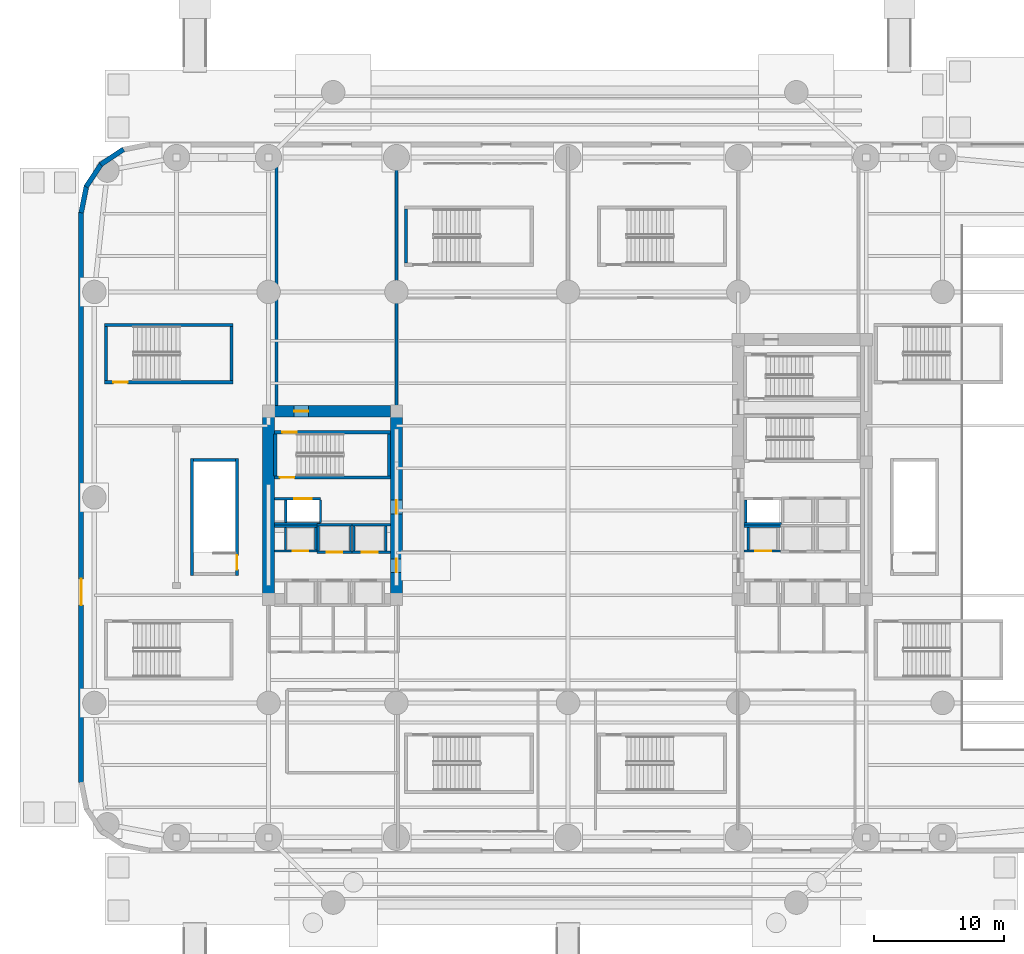
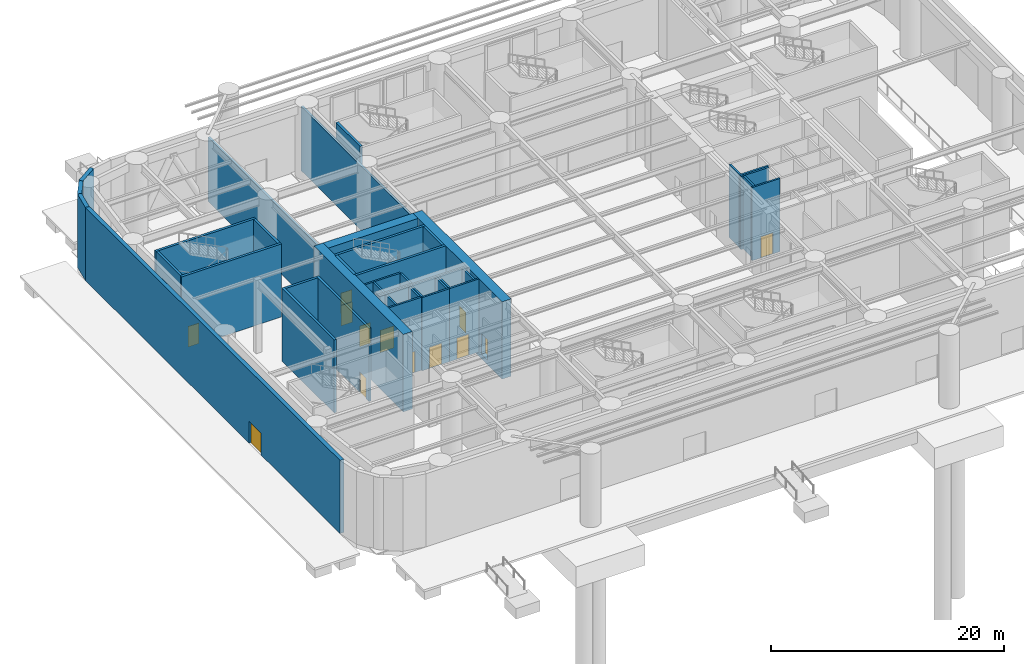
# One storey, part 11 of 25: 42 walls, 13 doors, 13 openings.
"""IFC4 building model written with IfcOpenShell, lengths in metres."""

from ifc_helpers import new_model, si_unit, direction, frame, frame_2d, origin, place, context, subcontext, project, spatial, rectangle, extrude, material, layer, layer_set, type_object, element, fill, save


model = new_model("IFC4")

# Units and contexts
model_context = context("Model", 3, precision=1e-05, world=origin(), true_north=direction((0.0, 1.0)))
body_context = subcontext(model_context, "Body", "Model", "MODEL_VIEW")
ifc_project = project(units=[si_unit("LENGTHUNIT", "METRE"), si_unit("AREAUNIT", "SQUARE_METRE"), si_unit("VOLUMEUNIT", "CUBIC_METRE"), si_unit("PLANEANGLEUNIT", "RADIAN"), si_unit("MASSUNIT", "GRAM", prefix="KILO")], contexts=[model_context])

# Site, building, storey
site_placement = place(None, origin())
site = spatial("IfcSite", under=ifc_project, at=site_placement, CompositionType="ELEMENT")
building_placement = place(site_placement, origin())
building = spatial("IfcBuilding", under=site, at=building_placement, Name="Kolvaren Arena Tower", CompositionType="ELEMENT")
storey_placement = place(building_placement, origin())
storey = spatial("IfcBuildingStorey", under=building, at=storey_placement, Name="L00", CompositionType="ELEMENT", Elevation=0.0)

# Wall
ifc_material_1 = material(Name="Concrete 80 MPa", Category="concrete")
ifc_layer_1 = layer(ifc_material_1, 0.89990234375)
ifc_layer_set_1 = layer_set([ifc_layer_1], Name="Concrete 80 MPa")
wall_type_1 = type_object("IfcWallType", Name="CWALL-900", PredefinedType="SHEAR", material=ifc_layer_set_1)
wall_1_placement = place(storey_placement, frame((14.550048828125, 19.0, -0.449951171875), z_axis=(0.0, 0.0, 1.0), x_axis=(0.0, 1.0, 0.0)))
element("IfcWall", 1, at=wall_1_placement, inside=storey, type_object=wall_type_1, Name="Core Shear Wall WC-WEST (L00)", PredefinedType="SHEAR", context=body_context, shape_type="SweptSolid", body=[
    extrude(rectangle(XDim=15.300048828125, YDim=0.89990234375, at=frame_2d((7.64990234375, 0.0))), origin(), (0.0, 0.0, 1.0), 8.099853515625),
])

# Wall, openings, doors
wall_2_placement = place(storey_placement, frame((24.35009765625, 19.0, -0.449951171875), z_axis=(0.0, 0.0, 1.0), x_axis=(0.0, 1.0, 0.0)))
wall_2 = element("IfcWall", 2, at=wall_2_placement, inside=storey, type_object=wall_type_1, Name="Core Shear Wall WC-EAST (L00)", PredefinedType="SHEAR", context=body_context, shape_type="SweptSolid", body=[
    extrude(rectangle(XDim=15.300048828125, YDim=0.89990234375, at=frame_2d((7.64990234375, 0.0))), origin(), (0.0, 0.0, 1.0), 8.099853515625),
])
opening_1_placement = place(wall_2_placement, frame((2.5, 0.0, 0.449951171875)))
opening_1 = element("IfcOpeningElement", 3, at=opening_1_placement, cuts=wall_2, Name="Opening D04", PredefinedType="OPENING", context=body_context, shape_type="SweptSolid", body=[
    extrude(rectangle(XDim=1.050048828125, YDim=2.14990234375, at=frame_2d((0.52490234375, 1.074951171875))), frame((0.0, 0.4599609375, 0.0), z_axis=(0.0, -1.0, 0.0), x_axis=(1.0, 0.0, 0.0)), (0.0, 0.0, 1.0), 0.919921875),
])
opening_2_placement = place(wall_2_placement, frame((7.0, 0.0, 0.449951171875)))
opening_2 = element("IfcOpeningElement", 4, at=opening_2_placement, cuts=wall_2, Name="Opening D04", PredefinedType="OPENING", context=body_context, shape_type="SweptSolid", body=[
    extrude(rectangle(XDim=1.050048828125, YDim=2.14990234375, at=frame_2d((0.52490234375, 1.074951171875))), frame((0.0, 0.4599609375, 0.0), z_axis=(0.0, -1.0, 0.0), x_axis=(1.0, 0.0, 0.0)), (0.0, 0.0, 1.0), 0.919921875),
])
ifc_material_2 = material(Name="Fire-rated steel lobby door", Category="steel")
door_type_1 = type_object("IfcDoorType", Name="DOOR-FF-105", OperationType="NOTDEFINED", PredefinedType="DOOR", material=ifc_material_2)
door_1_placement = place(opening_1_placement, origin())
door_1 = element("IfcDoor", 5, at=door_1_placement, inside=storey, type_object=door_type_1, Name="West Lift Lobby Fire Door (L00)", OperationType="SINGLE_SWING_LEFT", OverallHeight=2.14990234375, OverallWidth=1.050048828125, PredefinedType="DOOR", context=body_context, shape_type="SweptSolid", body=[
    extrude(rectangle(XDim=1.050048828125, YDim=2.14990234375, at=frame_2d((0.52490234375, 1.074951171875))), frame((0.0, 0.02490234375, 0.0), z_axis=(0.0, -1.0, 0.0), x_axis=(1.0, 0.0, 0.0)), (0.0, 0.0, 1.0), 0.050048828125),
])
fill(opening_1, door_1)
door_2_placement = place(opening_2_placement, origin())
door_2 = element("IfcDoor", 6, at=door_2_placement, inside=storey, type_object=door_type_1, Name="West Firefighter Vestibule Door (L00)", OperationType="SINGLE_SWING_RIGHT", OverallHeight=2.14990234375, OverallWidth=1.050048828125, PredefinedType="DOOR", context=body_context, shape_type="SweptSolid", body=[
    extrude(rectangle(XDim=1.050048828125, YDim=2.14990234375, at=frame_2d((0.52490234375, 1.074951171875))), frame((0.0, 0.02490234375, 0.0), z_axis=(0.0, -1.0, 0.0), x_axis=(1.0, 0.0, 0.0)), (0.0, 0.0, 1.0), 0.050048828125),
])
fill(opening_2, door_2)

# Wall, opening, door
wall_3_placement = place(storey_placement, frame((15.0, 33.85009765625, -0.449951171875), z_axis=(0.0, 0.0, 1.0), x_axis=(1.0, 0.0, 0.0)))
wall_3 = element("IfcWall", 7, at=wall_3_placement, inside=storey, type_object=wall_type_1, Name="Core Shear Wall WC-NORTH (L00)", PredefinedType="SHEAR", context=body_context, shape_type="SweptSolid", body=[
    extrude(rectangle(XDim=8.89990234375, YDim=0.89990234375, at=frame_2d((4.449951171875, 0.0))), origin(), (0.0, 0.0, 1.0), 8.099853515625),
])
opening_3_placement = place(wall_3_placement, frame((1.5, 0.0, 0.449951171875)))
opening_3 = element("IfcOpeningElement", 8, at=opening_3_placement, cuts=wall_3, Name="Opening D03", PredefinedType="OPENING", context=body_context, shape_type="SweptSolid", body=[
    extrude(rectangle(XDim=1.10009765625, YDim=2.14990234375, at=frame_2d((0.550048828125, 1.074951171875))), frame((0.0, 0.4599609375, 0.0), z_axis=(0.0, -1.0, 0.0), x_axis=(1.0, 0.0, 0.0)), (0.0, 0.0, 1.0), 0.919921875),
])
ifc_material_3 = material(Name="Fire-rated steel exit stair door", Category="steel")
door_type_2 = type_object("IfcDoorType", Name="DOOR-ST-110", OperationType="NOTDEFINED", PredefinedType="DOOR", material=ifc_material_3)
door_3_placement = place(opening_3_placement, origin())
door_3 = element("IfcDoor", 9, at=door_3_placement, inside=storey, type_object=door_type_2, Name="Stair ST-W1 Protected Exit Passage Door (L00)", OperationType="SINGLE_SWING_LEFT", OverallHeight=2.14990234375, OverallWidth=1.10009765625, PredefinedType="DOOR", context=body_context, shape_type="SweptSolid", body=[
    extrude(rectangle(XDim=1.10009765625, YDim=2.14990234375, at=frame_2d((0.550048828125, 1.074951171875))), frame((0.0, 0.02490234375, 0.0), z_axis=(0.0, -1.0, 0.0), x_axis=(1.0, 0.0, 0.0)), (0.0, 0.0, 1.0), 0.050048828125),
])
fill(opening_3, door_3)

# Walls
ifc_material_4 = material(Name="Precast concrete C50/60", Category="concrete")
ifc_layer_2 = layer(ifc_material_4, 0.3798828125)
ifc_layer_set_2 = layer_set([ifc_layer_2], Name="Precast concrete C50/60")
wall_type_2 = type_object("IfcWallType", Name="EXT-ARENA", PredefinedType="SOLIDWALL", material=ifc_layer_set_2)
for number, where, z_axis, x_axis, name in (
    (10, (1.687255859375, 52.760498046875, 0.0), (0.0, 0.0, 1.0), (0.831515102434, 0.555502146192, 0.0), "Exterior Precast Masonry-Frame Wall (L00)"),
    (11, (0.569091796875, 51.060791015625, 0.0), (0.0, 0.0, 1.0), (0.555502146192, 0.831515102434, 0.0), "Exterior Precast Masonry-Frame Wall (L00)"),
    (12, (0.186279296875, 49.06298828125, 0.0), (0.0, 0.0, 1.0), (0.195135546048, 0.9807762837, 0.0), "Exterior Precast Masonry-Frame Wall (L00)"),
):
    element("IfcWall", number, at=place(storey_placement, frame(where, z_axis=z_axis, x_axis=x_axis)), inside=storey, type_object=wall_type_2, Name=name, PredefinedType="SOLIDWALL", context=body_context, shape_type="SweptSolid", body=[
        extrude(rectangle(XDim=2.10693359375, YDim=0.3798828125, at=frame_2d((1.053466796875, 0.0))), origin(), (0.0, 0.0, 1.0), 7.64990234375),
    ])

# Wall, opening, door
wall_4_placement = place(storey_placement, frame((0.18994140625, 5.39990234375, 0.0), z_axis=(0.0, 0.0, 1.0), x_axis=(0.0, 1.0, 0.0)))
wall_4 = element("IfcWall", 13, at=wall_4_placement, inside=storey, type_object=wall_type_2, Name="Exterior Precast Masonry-Frame Wall (L00)", PredefinedType="SOLIDWALL", context=body_context, shape_type="SweptSolid", body=[
    extrude(rectangle(XDim=43.7001953125, YDim=0.3798828125, at=frame_2d((21.85009765625, 0.0))), origin(), (0.0, 0.0, 1.0), 7.64990234375),
])
opening_4_placement = place(wall_4_placement, frame((13.60009765625, 0.0, 0.0)))
opening_4 = element("IfcOpeningElement", 14, at=opening_4_placement, cuts=wall_4, Name="Opening D02", PredefinedType="OPENING", context=body_context, shape_type="SweptSolid", body=[
    extrude(rectangle(XDim=2.0, YDim=2.300048828125, at=frame_2d((1.0, 1.14990234375))), frame((0.0, 0.199951171875, 0.0), z_axis=(0.0, -1.0, 0.0), x_axis=(1.0, 0.0, 0.0)), (0.0, 0.0, 1.0), 0.39990234375),
])
ifc_material_5 = material(Name="Painted hollow metal assembly door", Category="steel")
door_type_3 = type_object("IfcDoorType", Name="DOOR-AR-DBL", OperationType="DOUBLE_DOOR_SINGLE_SWING", PredefinedType="DOOR", material=ifc_material_5)
door_4_placement = place(opening_4_placement, origin())
door_4 = element("IfcDoor", 15, at=door_4_placement, inside=storey, type_object=door_type_3, Name="West Tower Lobby Final Exit Door", OperationType="DOUBLE_DOOR_SINGLE_SWING", OverallHeight=2.300048828125, OverallWidth=2.0, PredefinedType="DOOR", context=body_context, shape_type="SweptSolid", body=[
    extrude(rectangle(XDim=2.0, YDim=2.300048828125, at=frame_2d((1.0, 1.14990234375))), frame((0.0, 0.02490234375, 0.0), z_axis=(0.0, -1.0, 0.0), x_axis=(1.0, 0.0, 0.0)), (0.0, 0.0, 1.0), 0.050048828125),
])
fill(opening_4, door_4)

ifc_material_6 = material(Name="Concrete 45 MPa", Category="concrete")
ifc_layer_3 = layer(ifc_material_6, 0.25)
ifc_layer_set_3 = layer_set([ifc_layer_3], Name="Concrete 45 MPa")
wall_type_3 = type_object("IfcWallType", Name="SHAFT-250", PredefinedType="SOLIDWALL", material=ifc_layer_set_3)
wall_5_placement = place(storey_placement, frame((11.840087890625, 36.080078125, 0.0), z_axis=(0.0, 0.0, 1.0), x_axis=(-1.0, 0.0, 0.0)))
wall_5 = element("IfcWall", 16, at=wall_5_placement, inside=storey, type_object=wall_type_3, Name="Stair ST-A5 Rated Enclosure Wall (L00)", PredefinedType="SOLIDWALL", context=body_context, shape_type="SweptSolid", body=[
    extrude(rectangle(XDim=9.880126953125, YDim=0.239990234375, at=frame_2d((4.93994140625, 0.0))), origin(), (0.0, 0.0, 1.0), 7.64990234375),
])
opening_5_placement = place(wall_5_placement, frame((8.090087890625, 0.0, 0.0)))
opening_5 = element("IfcOpeningElement", 17, at=opening_5_placement, cuts=wall_5, Name="Opening D03", PredefinedType="OPENING", context=body_context, shape_type="SweptSolid", body=[
    extrude(rectangle(XDim=1.10009765625, YDim=2.14990234375, at=frame_2d((0.550048828125, 1.074951171875))), frame((0.0, 0.1298828125, 0.0), z_axis=(0.0, -1.0, 0.0), x_axis=(1.0, 0.0, 0.0)), (0.0, 0.0, 1.0), 0.260009765625),
])
door_5_placement = place(opening_5_placement, origin())
door_5 = element("IfcDoor", 18, at=door_5_placement, inside=storey, type_object=door_type_2, Name="Exit Stair ST-A5 Fire Door (L00)", OperationType="SINGLE_SWING_LEFT", OverallHeight=2.14990234375, OverallWidth=1.10009765625, PredefinedType="DOOR", context=body_context, shape_type="SweptSolid", body=[
    extrude(rectangle(XDim=1.10009765625, YDim=2.14990234375, at=frame_2d((0.550048828125, 1.074951171875))), frame((0.0, 0.02490234375, 0.0), z_axis=(0.0, -1.0, 0.0), x_axis=(1.0, 0.0, 0.0)), (0.0, 0.0, 1.0), 0.050048828125),
])
fill(opening_5, door_5)

# Walls
wall_6_placement = place(storey_placement, frame((1.9599609375, 40.469970703125, 0.0), z_axis=(0.0, 0.0, 1.0), x_axis=(1.0, 0.0, 0.0)))
element("IfcWall", 19, at=wall_6_placement, inside=storey, type_object=wall_type_3, Name="Stair ST-A5 Rear Shaft Wall (L00)", PredefinedType="SOLIDWALL", context=body_context, shape_type="SweptSolid", body=[
    extrude(rectangle(XDim=9.880126953125, YDim=0.239990234375, at=frame_2d((4.93994140625, 0.0))), origin(), (0.0, 0.0, 1.0), 7.64990234375),
])
for number, where, z_axis, x_axis, name in (
    (20, (2.080078125, 36.199951171875, 0.0), (0.0, 0.0, 1.0), (0.0, 1.0, 0.0), "Stair ST-A5 West Shaft Wall (L00)"),
    (21, (11.719970703125, 36.199951171875, 0.0), (0.0, 0.0, 1.0), (0.0, 1.0, 0.0), "Stair ST-A5 East Shaft Wall (L00)"),
    (22, (25.080078125, 45.199951171875, 0.0), (0.0, 0.0, 1.0), (0.0, 1.0, 0.0), "Stair ST-A6 West Shaft Wall (L00)"),
):
    element("IfcWall", number, at=place(storey_placement, frame(where, z_axis=z_axis, x_axis=x_axis)), inside=storey, type_object=wall_type_3, Name=name, PredefinedType="SOLIDWALL", context=body_context, shape_type="SweptSolid", body=[
        extrude(rectangle(XDim=4.150146484375, YDim=0.239990234375, at=frame_2d((2.0751953125, 0.0))), origin(), (0.0, 0.0, 1.0), 7.64990234375),
    ])

# Wall, opening, door
wall_7_placement = place(storey_placement, frame((12.1201171875, 30.239990234375, 0.0), z_axis=(0.0, 0.0, 1.0), x_axis=(0.0, -1.0, 0.0)))
wall_7 = element("IfcWall", 23, at=wall_7_placement, inside=storey, type_object=wall_type_3, Name="Stair ST-B1 Rated Enclosure Wall (L00)", PredefinedType="SOLIDWALL", context=body_context, shape_type="SweptSolid", body=[
    extrude(rectangle(XDim=8.97998046875, YDim=0.239990234375, at=frame_2d((4.489990234375, 0.0))), origin(), (0.0, 0.0, 1.0), 7.64990234375),
])
opening_6_placement = place(wall_7_placement, frame((7.429931640625, 0.0, 0.0)))
opening_6 = element("IfcOpeningElement", 24, at=opening_6_placement, cuts=wall_7, Name="Opening D03", PredefinedType="OPENING", context=body_context, shape_type="SweptSolid", body=[
    extrude(rectangle(XDim=1.10009765625, YDim=2.14990234375, at=frame_2d((0.550048828125, 1.074951171875))), frame((0.0, 0.1298828125, 0.0), z_axis=(0.0, -1.0, 0.0), x_axis=(1.0, 0.0, 0.0)), (0.0, 0.0, 1.0), 0.260009765625),
])
door_6_placement = place(opening_6_placement, origin())
door_6 = element("IfcDoor", 25, at=door_6_placement, inside=storey, type_object=door_type_2, Name="Exit Stair ST-B1 Fire Door (L00)", OperationType="SINGLE_SWING_LEFT", OverallHeight=2.14990234375, OverallWidth=1.10009765625, PredefinedType="DOOR", context=body_context, shape_type="SweptSolid", body=[
    extrude(rectangle(XDim=1.10009765625, YDim=2.14990234375, at=frame_2d((0.550048828125, 1.074951171875))), frame((0.0, 0.02490234375, 0.0), z_axis=(0.0, -1.0, 0.0), x_axis=(1.0, 0.0, 0.0)), (0.0, 0.0, 1.0), 0.050048828125),
])
fill(opening_6, door_6)

# Walls
wall_8_placement = place(storey_placement, frame((8.68994140625, 21.260009765625, 0.0), z_axis=(0.0, 0.0, 1.0), x_axis=(0.0, 1.0, 0.0)))
element("IfcWall", 26, at=wall_8_placement, inside=storey, type_object=wall_type_3, Name="Stair ST-B1 Rear Shaft Wall (L00)", PredefinedType="SOLIDWALL", context=body_context, shape_type="SweptSolid", body=[
    extrude(rectangle(XDim=8.97998046875, YDim=0.239990234375, at=frame_2d((4.489990234375, 0.0))), origin(), (0.0, 0.0, 1.0), 7.64990234375),
])
wall_9_placement = place(storey_placement, frame((8.81005859375, 30.1201171875, 0.0), z_axis=(0.0, 0.0, 1.0), x_axis=(1.0, 0.0, 0.0)))
element("IfcWall", 27, at=wall_9_placement, inside=storey, type_object=wall_type_3, Name="Stair ST-B1 North Shaft Wall (L00)", PredefinedType="SOLIDWALL", context=body_context, shape_type="SweptSolid", body=[
    extrude(rectangle(XDim=3.18994140625, YDim=0.239990234375, at=frame_2d((1.594970703125, 0.0))), origin(), (0.0, 0.0, 1.0), 7.64990234375),
])

# Wall, opening, door
wall_10_placement = place(storey_placement, frame((23.89990234375, 28.780029296875, 0.0), z_axis=(0.0, 0.0, 1.0), x_axis=(-1.0, 0.0, 0.0)))
wall_10 = element("IfcWall", 28, at=wall_10_placement, inside=storey, type_object=wall_type_3, Name="Core Shaft Wall (L00)", PredefinedType="SOLIDWALL", context=body_context, shape_type="SweptSolid", body=[
    extrude(rectangle(XDim=8.89990234375, YDim=0.239990234375, at=frame_2d((4.449951171875, 0.0))), origin(), (0.0, 0.0, 1.0), 7.64990234375),
])
opening_7_placement = place(wall_10_placement, frame((7.3798828125, 0.0, 0.0)))
opening_7 = element("IfcOpeningElement", 29, at=opening_7_placement, cuts=wall_10, Name="Opening D03", PredefinedType="OPENING", context=body_context, shape_type="SweptSolid", body=[
    extrude(rectangle(XDim=1.10009765625, YDim=2.14990234375, at=frame_2d((0.550048828125, 1.074951171875))), frame((0.0, 0.1298828125, 0.0), z_axis=(0.0, -1.0, 0.0), x_axis=(1.0, 0.0, 0.0)), (0.0, 0.0, 1.0), 0.260009765625),
])
door_7_placement = place(opening_7_placement, origin())
door_7 = element("IfcDoor", 30, at=door_7_placement, inside=storey, type_object=door_type_2, Name="Stair ST-W1 Fire Door (L00)", OperationType="SINGLE_SWING_RIGHT", OverallHeight=2.14990234375, OverallWidth=1.10009765625, PredefinedType="DOOR", context=body_context, shape_type="SweptSolid", body=[
    extrude(rectangle(XDim=1.10009765625, YDim=2.14990234375, at=frame_2d((0.550048828125, 1.074951171875))), frame((0.0, 0.02490234375, 0.0), z_axis=(0.0, -1.0, 0.0), x_axis=(1.0, 0.0, 0.0)), (0.0, 0.0, 1.0), 0.050048828125),
])
fill(opening_7, door_7)

wall_11_placement = place(storey_placement, frame((15.0, 32.25, 0.0), z_axis=(0.0, 0.0, 1.0), x_axis=(1.0, 0.0, 0.0)))
wall_11 = element("IfcWall", 31, at=wall_11_placement, inside=storey, type_object=wall_type_3, Name="Core Shaft Wall (L00)", PredefinedType="SOLIDWALL", context=body_context, shape_type="SweptSolid", body=[
    extrude(rectangle(XDim=8.89990234375, YDim=0.239990234375, at=frame_2d((4.449951171875, 0.0))), origin(), (0.0, 0.0, 1.0), 7.64990234375),
])
opening_8_placement = place(wall_11_placement, frame((0.60009765625, 0.0, 0.0)))
opening_8 = element("IfcOpeningElement", 32, at=opening_8_placement, cuts=wall_11, Name="Opening D03", PredefinedType="OPENING", context=body_context, shape_type="SweptSolid", body=[
    extrude(rectangle(XDim=1.10009765625, YDim=2.14990234375, at=frame_2d((0.550048828125, 1.074951171875))), frame((0.0, 0.1298828125, 0.0), z_axis=(0.0, -1.0, 0.0), x_axis=(1.0, 0.0, 0.0)), (0.0, 0.0, 1.0), 0.260009765625),
])
door_8_placement = place(opening_8_placement, origin())
door_8 = element("IfcDoor", 33, at=door_8_placement, inside=storey, type_object=door_type_2, Name="Stair ST-W1 Grade Discharge Door", OperationType="SINGLE_SWING_LEFT", OverallHeight=2.14990234375, OverallWidth=1.10009765625, PredefinedType="DOOR", context=body_context, shape_type="SweptSolid", body=[
    extrude(rectangle(XDim=1.10009765625, YDim=2.14990234375, at=frame_2d((0.550048828125, 1.074951171875))), frame((0.0, 0.02490234375, 0.0), z_axis=(0.0, -1.0, 0.0), x_axis=(1.0, 0.0, 0.0)), (0.0, 0.0, 1.0), 0.050048828125),
])
fill(opening_8, door_8)

# Walls
for number, where, z_axis, x_axis, name in (
    (34, (15.06005859375, 28.89990234375, 0.0), (0.0, 0.0, 1.0), (0.0, 1.0, 0.0), "Core Shaft Wall (L00)"),
    (35, (23.780029296875, 28.89990234375, 0.0), (0.0, 0.0, 1.0), (0.0, 1.0, 0.0), "Core Shaft Wall (L00)"),
):
    element("IfcWall", number, at=place(storey_placement, frame(where, z_axis=z_axis, x_axis=x_axis)), inside=storey, type_object=wall_type_3, Name=name, PredefinedType="SOLIDWALL", context=body_context, shape_type="SweptSolid", body=[
        extrude(rectangle(XDim=3.22998046875, YDim=0.239990234375, at=frame_2d((1.614990234375, 0.0))), origin(), (0.0, 0.0, 1.0), 7.64990234375),
    ])
wall_12_placement = place(storey_placement, frame((51.0, 25.054931640625, 0.0), z_axis=(0.0, 0.0, 1.0), x_axis=(1.0, 0.0, 0.0)))
element("IfcWall", 36, at=wall_12_placement, inside=storey, type_object=wall_type_3, Name="Core Shaft Wall (L00)", PredefinedType="SOLIDWALL", context=body_context, shape_type="SweptSolid", body=[
    extrude(rectangle(XDim=2.777587890625, YDim=0.179931640625, at=frame_2d((1.388671875, 0.0))), origin(), (0.0, 0.0, 1.0), 7.64990234375),
])

# Wall, opening, door
wall_13_placement = place(storey_placement, frame((51.0, 23.14501953125, 0.0), z_axis=(0.0, 0.0, 1.0), x_axis=(1.0, 0.0, 0.0)))
wall_13 = element("IfcWall", 37, at=wall_13_placement, inside=storey, type_object=wall_type_3, Name="Core Shaft Wall (L00)", PredefinedType="SOLIDWALL", context=body_context, shape_type="SweptSolid", body=[
    extrude(rectangle(XDim=2.777587890625, YDim=0.179931640625, at=frame_2d((1.388671875, 0.0))), origin(), (0.0, 0.0, 1.0), 7.64990234375),
])
opening_9_placement = place(wall_13_placement, frame((0.860107421875, 0.0, 0.0)))
opening_9 = element("IfcOpeningElement", 38, at=opening_9_placement, cuts=wall_13, Name="Opening LD1", PredefinedType="OPENING", context=body_context, shape_type="SweptSolid", body=[
    extrude(rectangle(XDim=1.199951171875, YDim=2.199951171875, at=frame_2d((0.60009765625, 1.10009765625))), frame((0.0, 0.099853515625, 0.0), z_axis=(0.0, -1.0, 0.0), x_axis=(1.0, 0.0, 0.0)), (0.0, 0.0, 1.0), 0.199951171875),
])
ifc_material_7 = material(Name="Stainless steel passenger lift landing door", Category="steel")
door_type_4 = type_object("IfcDoorType", Name="DOOR-LD-120", OperationType="DOUBLE_DOOR_SLIDING", PredefinedType="DOOR", material=ifc_material_7)
door_9_placement = place(opening_9_placement, origin())
door_9 = element("IfcDoor", 39, at=door_9_placement, inside=storey, type_object=door_type_4, Name="Lift EL-LR4 Landing Door (L00)", OperationType="DOUBLE_DOOR_SLIDING", OverallHeight=2.199951171875, OverallWidth=1.199951171875, PredefinedType="DOOR", context=body_context, shape_type="SweptSolid", body=[
    extrude(rectangle(XDim=1.199951171875, YDim=2.199951171875, at=frame_2d((0.60009765625, 1.10009765625))), frame((0.0, 0.02490234375, 0.0), z_axis=(0.0, -1.0, 0.0), x_axis=(1.0, 0.0, 0.0)), (0.0, 0.0, 1.0), 0.050048828125),
])
fill(opening_9, door_9)

# Walls
wall_14_placement = place(storey_placement, frame((51.304931640625, 23.235107421875, 0.0), z_axis=(0.0, 0.0, 1.0), x_axis=(0.0, 1.0, 0.0)))
element("IfcWall", 40, at=wall_14_placement, inside=storey, type_object=wall_type_3, Name="Core Shaft Wall (L00)", PredefinedType="SOLIDWALL", context=body_context, shape_type="SweptSolid", body=[
    extrude(rectangle(XDim=1.72998046875, YDim=0.179931640625, at=frame_2d((0.864990234375, 0.0))), origin(), (0.0, 0.0, 1.0), 7.64990234375),
])
wall_15_placement = place(storey_placement, frame((51.0, 25.2451171875, 0.0), z_axis=(0.0, 0.0, 1.0), x_axis=(1.0, 0.0, 0.0)))
element("IfcWall", 41, at=wall_15_placement, inside=storey, type_object=wall_type_3, Name="Core Shaft Wall (L00)", PredefinedType="SOLIDWALL", context=body_context, shape_type="SweptSolid", body=[
    extrude(rectangle(XDim=2.864990234375, YDim=0.179931640625, at=frame_2d((1.4326171875, 0.0))), origin(), (0.0, 0.0, 1.0), 7.64990234375),
])
wall_16_placement = place(storey_placement, frame((51.1298828125, 25.3349609375, 0.0), z_axis=(0.0, 0.0, 1.0), x_axis=(0.0, 1.0, 0.0)))
element("IfcWall", 42, at=wall_16_placement, inside=storey, type_object=wall_type_3, Name="Core Shaft Wall (L00)", PredefinedType="SOLIDWALL", context=body_context, shape_type="SweptSolid", body=[
    extrude(rectangle(XDim=1.72998046875, YDim=0.179931640625, at=frame_2d((0.864990234375, 0.0))), origin(), (0.0, 0.0, 1.0), 7.64990234375),
])
wall_17_placement = place(storey_placement, frame((15.0, 25.054931640625, 0.0), z_axis=(0.0, 0.0, 1.0), x_axis=(1.0, 0.0, 0.0)))
element("IfcWall", 43, at=wall_17_placement, inside=storey, type_object=wall_type_3, Name="Core Shaft Wall (L00)", PredefinedType="SOLIDWALL", context=body_context, shape_type="SweptSolid", body=[
    extrude(rectangle(XDim=3.262451171875, YDim=0.179931640625, at=frame_2d((1.63134765625, 0.0))), origin(), (0.0, 0.0, 1.0), 7.64990234375),
])

# Wall, opening, door
wall_18_placement = place(storey_placement, frame((15.0, 23.14501953125, 0.0), z_axis=(0.0, 0.0, 1.0), x_axis=(1.0, 0.0, 0.0)))
wall_18 = element("IfcWall", 44, at=wall_18_placement, inside=storey, type_object=wall_type_3, Name="Core Shaft Wall (L00)", PredefinedType="SOLIDWALL", context=body_context, shape_type="SweptSolid", body=[
    extrude(rectangle(XDim=3.262451171875, YDim=0.179931640625, at=frame_2d((1.63134765625, 0.0))), origin(), (0.0, 0.0, 1.0), 7.64990234375),
])
opening_10_placement = place(wall_18_placement, frame((1.39990234375, 0.0, 0.0)))
opening_10 = element("IfcOpeningElement", 45, at=opening_10_placement, cuts=wall_18, Name="Opening LD1", PredefinedType="OPENING", context=body_context, shape_type="SweptSolid", body=[
    extrude(rectangle(XDim=1.199951171875, YDim=2.199951171875, at=frame_2d((0.60009765625, 1.10009765625))), frame((0.0, 0.099853515625, 0.0), z_axis=(0.0, -1.0, 0.0), x_axis=(1.0, 0.0, 0.0)), (0.0, 0.0, 1.0), 0.199951171875),
])
door_10_placement = place(opening_10_placement, origin())
door_10 = element("IfcDoor", 46, at=door_10_placement, inside=storey, type_object=door_type_4, Name="Lift EL-MR4 Landing Door (L00)", OperationType="DOUBLE_DOOR_SLIDING", OverallHeight=2.199951171875, OverallWidth=1.199951171875, PredefinedType="DOOR", context=body_context, shape_type="SweptSolid", body=[
    extrude(rectangle(XDim=1.199951171875, YDim=2.199951171875, at=frame_2d((0.60009765625, 1.10009765625))), frame((0.0, 0.02490234375, 0.0), z_axis=(0.0, -1.0, 0.0), x_axis=(1.0, 0.0, 0.0)), (0.0, 0.0, 1.0), 0.050048828125),
])
fill(opening_10, door_10)

# Walls
for number, where, z_axis, x_axis, name in (
    (47, (15.844970703125, 23.235107421875, 0.0), (0.0, 0.0, 1.0), (0.0, 1.0, 0.0), "Core Shaft Wall (L00)"),
    (48, (18.155029296875, 23.235107421875, 0.0), (0.0, 0.0, 1.0), (0.0, 1.0, 0.0), "Core Shaft Wall (L00)"),
):
    element("IfcWall", number, at=place(storey_placement, frame(where, z_axis=z_axis, x_axis=x_axis)), inside=storey, type_object=wall_type_3, Name=name, PredefinedType="SOLIDWALL", context=body_context, shape_type="SweptSolid", body=[
        extrude(rectangle(XDim=1.72998046875, YDim=0.179931640625, at=frame_2d((0.864990234375, 0.0))), origin(), (0.0, 0.0, 1.0), 7.64990234375),
    ])
wall_19_placement = place(storey_placement, frame((18.262451171875, 25.155029296875, 0.0), z_axis=(0.0, 0.0, 1.0), x_axis=(1.0, 0.0, 0.0)))
element("IfcWall", 49, at=wall_19_placement, inside=storey, type_object=wall_type_3, Name="Core Shaft Wall (L00)", PredefinedType="SOLIDWALL", context=body_context, shape_type="SweptSolid", body=[
    extrude(rectangle(XDim=2.6875, YDim=0.179931640625, at=frame_2d((1.34375, 0.0))), origin(), (0.0, 0.0, 1.0), 7.64990234375),
])

# Wall, opening, door
wall_20_placement = place(storey_placement, frame((18.262451171875, 23.044921875, 0.0), z_axis=(0.0, 0.0, 1.0), x_axis=(1.0, 0.0, 0.0)))
wall_20 = element("IfcWall", 50, at=wall_20_placement, inside=storey, type_object=wall_type_3, Name="Core Shaft Wall (L00)", PredefinedType="SOLIDWALL", context=body_context, shape_type="SweptSolid", body=[
    extrude(rectangle(XDim=2.6875, YDim=0.179931640625, at=frame_2d((1.34375, 0.0))), origin(), (0.0, 0.0, 1.0), 7.64990234375),
])
opening_11_placement = place(wall_20_placement, frame((0.737548828125, 0.0, 0.0)))
opening_11 = element("IfcOpeningElement", 51, at=opening_11_placement, cuts=wall_20, Name="Opening LD1", PredefinedType="OPENING", context=body_context, shape_type="SweptSolid", body=[
    extrude(rectangle(XDim=1.199951171875, YDim=2.199951171875, at=frame_2d((0.60009765625, 1.10009765625))), frame((0.0, 0.099853515625, 0.0), z_axis=(0.0, -1.0, 0.0), x_axis=(1.0, 0.0, 0.0)), (0.0, 0.0, 1.0), 0.199951171875),
])
door_11_placement = place(opening_11_placement, origin())
door_11 = element("IfcDoor", 52, at=door_11_placement, inside=storey, type_object=door_type_4, Name="Lift EL-OB1 Landing Door (L00)", OperationType="DOUBLE_DOOR_SLIDING", OverallHeight=2.199951171875, OverallWidth=1.199951171875, PredefinedType="DOOR", context=body_context, shape_type="SweptSolid", body=[
    extrude(rectangle(XDim=1.199951171875, YDim=2.199951171875, at=frame_2d((0.60009765625, 1.10009765625))), frame((0.0, 0.02490234375, 0.0), z_axis=(0.0, -1.0, 0.0), x_axis=(1.0, 0.0, 0.0)), (0.0, 0.0, 1.0), 0.050048828125),
])
fill(opening_11, door_11)

# Walls
for number, where, z_axis, x_axis, name in (
    (53, (18.3701171875, 23.135009765625, 0.0), (0.0, 0.0, 1.0), (0.0, 1.0, 0.0), "Core Shaft Wall (L00)"),
    (54, (20.830078125, 23.135009765625, 0.0), (0.0, 0.0, 1.0), (0.0, 1.0, 0.0), "Core Shaft Wall (L00)"),
):
    element("IfcWall", number, at=place(storey_placement, frame(where, z_axis=z_axis, x_axis=x_axis)), inside=storey, type_object=wall_type_3, Name=name, PredefinedType="SOLIDWALL", context=body_context, shape_type="SweptSolid", body=[
        extrude(rectangle(XDim=1.929931640625, YDim=0.179931640625, at=frame_2d((0.96484375, 0.0))), origin(), (0.0, 0.0, 1.0), 7.64990234375),
    ])
wall_21_placement = place(storey_placement, frame((20.949951171875, 25.155029296875, 0.0), z_axis=(0.0, 0.0, 1.0), x_axis=(1.0, 0.0, 0.0)))
element("IfcWall", 55, at=wall_21_placement, inside=storey, type_object=wall_type_3, Name="Core Shaft Wall (L00)", PredefinedType="SOLIDWALL", context=body_context, shape_type="SweptSolid", body=[
    extrude(rectangle(XDim=2.949951171875, YDim=0.179931640625, at=frame_2d((1.47509765625, 0.0))), origin(), (0.0, 0.0, 1.0), 7.64990234375),
])

# Wall, opening, door
wall_22_placement = place(storey_placement, frame((20.949951171875, 23.044921875, 0.0), z_axis=(0.0, 0.0, 1.0), x_axis=(1.0, 0.0, 0.0)))
wall_22 = element("IfcWall", 56, at=wall_22_placement, inside=storey, type_object=wall_type_3, Name="Core Shaft Wall (L00)", PredefinedType="SOLIDWALL", context=body_context, shape_type="SweptSolid", body=[
    extrude(rectangle(XDim=2.949951171875, YDim=0.179931640625, at=frame_2d((1.47509765625, 0.0))), origin(), (0.0, 0.0, 1.0), 7.64990234375),
])
opening_12_placement = place(wall_22_placement, frame((0.75, 0.0, 0.0)))
opening_12 = element("IfcOpeningElement", 57, at=opening_12_placement, cuts=wall_22, Name="Opening LD1", PredefinedType="OPENING", context=body_context, shape_type="SweptSolid", body=[
    extrude(rectangle(XDim=1.199951171875, YDim=2.199951171875, at=frame_2d((0.60009765625, 1.10009765625))), frame((0.0, 0.099853515625, 0.0), z_axis=(0.0, -1.0, 0.0), x_axis=(1.0, 0.0, 0.0)), (0.0, 0.0, 1.0), 0.199951171875),
])
door_12_placement = place(opening_12_placement, origin())
door_12 = element("IfcDoor", 58, at=door_12_placement, inside=storey, type_object=door_type_4, Name="Lift EL-OB2 Landing Door (L00)", OperationType="DOUBLE_DOOR_SLIDING", OverallHeight=2.199951171875, OverallWidth=1.199951171875, PredefinedType="DOOR", context=body_context, shape_type="SweptSolid", body=[
    extrude(rectangle(XDim=1.199951171875, YDim=2.199951171875, at=frame_2d((0.60009765625, 1.10009765625))), frame((0.0, 0.02490234375, 0.0), z_axis=(0.0, -1.0, 0.0), x_axis=(1.0, 0.0, 0.0)), (0.0, 0.0, 1.0), 0.050048828125),
])
fill(opening_12, door_12)

# Walls
for number, where, z_axis, x_axis, name in (
    (59, (21.070068359375, 23.135009765625, 0.0), (0.0, 0.0, 1.0), (0.0, 1.0, 0.0), "Core Shaft Wall (L00)"),
    (60, (23.530029296875, 23.135009765625, 0.0), (0.0, 0.0, 1.0), (0.0, 1.0, 0.0), "Core Shaft Wall (L00)"),
):
    element("IfcWall", number, at=place(storey_placement, frame(where, z_axis=z_axis, x_axis=x_axis)), inside=storey, type_object=wall_type_3, Name=name, PredefinedType="SOLIDWALL", context=body_context, shape_type="SweptSolid", body=[
        extrude(rectangle(XDim=1.929931640625, YDim=0.179931640625, at=frame_2d((0.96484375, 0.0))), origin(), (0.0, 0.0, 1.0), 7.64990234375),
    ])

# Wall, opening, door
wall_23_placement = place(storey_placement, frame((15.0, 27.155029296875, 0.0), z_axis=(0.0, 0.0, 1.0), x_axis=(1.0, 0.0, 0.0)))
wall_23 = element("IfcWall", 61, at=wall_23_placement, inside=storey, type_object=wall_type_3, Name="Core Shaft Wall (L00)", PredefinedType="SOLIDWALL", context=body_context, shape_type="SweptSolid", body=[
    extrude(rectangle(XDim=3.530029296875, YDim=0.179931640625, at=frame_2d((1.76513671875, 0.0))), origin(), (0.0, 0.0, 1.0), 7.64990234375),
])
opening_13_placement = place(wall_23_placement, frame((1.52490234375, 0.0, 0.0)))
opening_13 = element("IfcOpeningElement", 62, at=opening_13_placement, cuts=wall_23, Name="Opening LD2", PredefinedType="OPENING", context=body_context, shape_type="SweptSolid", body=[
    extrude(rectangle(XDim=1.35009765625, YDim=2.300048828125, at=frame_2d((0.675048828125, 1.14990234375))), frame((0.0, 0.099853515625, 0.0), z_axis=(0.0, -1.0, 0.0), x_axis=(1.0, 0.0, 0.0)), (0.0, 0.0, 1.0), 0.199951171875),
])
ifc_material_8 = material(Name="Stainless steel firefighter lift landing door", Category="steel")
door_type_5 = type_object("IfcDoorType", Name="DOOR-LD-135", OperationType="DOUBLE_DOOR_SLIDING", PredefinedType="DOOR", material=ifc_material_8)
door_13_placement = place(opening_13_placement, origin())
door_13 = element("IfcDoor", 63, at=door_13_placement, inside=storey, type_object=door_type_5, Name="Firefighter Lift FF-W1 Landing Door (L00)", OperationType="DOUBLE_DOOR_SLIDING", OverallHeight=2.300048828125, OverallWidth=1.35009765625, PredefinedType="DOOR", context=body_context, shape_type="SweptSolid", body=[
    extrude(rectangle(XDim=1.35009765625, YDim=2.300048828125, at=frame_2d((0.675048828125, 1.14990234375))), frame((0.0, 0.02490234375, 0.0), z_axis=(0.0, -1.0, 0.0), x_axis=(1.0, 0.0, 0.0)), (0.0, 0.0, 1.0), 0.050048828125),
])
fill(opening_13, door_13)

# Walls
wall_24_placement = place(storey_placement, frame((15.0, 25.2451171875, 0.0), z_axis=(0.0, 0.0, 1.0), x_axis=(1.0, 0.0, 0.0)))
element("IfcWall", 64, at=wall_24_placement, inside=storey, type_object=wall_type_3, Name="Core Shaft Wall (L00)", PredefinedType="SOLIDWALL", context=body_context, shape_type="SweptSolid", body=[
    extrude(rectangle(XDim=3.530029296875, YDim=0.179931640625, at=frame_2d((1.76513671875, 0.0))), origin(), (0.0, 0.0, 1.0), 7.64990234375),
])
for number, where, z_axis, x_axis, name in (
    (65, (15.8701171875, 25.3349609375, 0.0), (0.0, 0.0, 1.0), (0.0, 1.0, 0.0), "Core Shaft Wall (L00)"),
    (66, (18.530029296875, 25.3349609375, 0.0), (0.0, 0.0, 1.0), (0.0, 1.0, 0.0), "Core Shaft Wall (L00)"),
):
    element("IfcWall", number, at=place(storey_placement, frame(where, z_axis=z_axis, x_axis=x_axis)), inside=storey, type_object=wall_type_3, Name=name, PredefinedType="SOLIDWALL", context=body_context, shape_type="SweptSolid", body=[
        extrude(rectangle(XDim=1.72998046875, YDim=0.179931640625, at=frame_2d((0.864990234375, 0.0))), origin(), (0.0, 0.0, 1.0), 7.64990234375),
    ])
for number, where, z_axis, x_axis, name in (
    (67, (15.14990234375, 34.300048828125, 0.0), (0.0, 0.0, 1.0), (0.0, 1.0, 0.0), "Interior Partition Wall (L00)"),
    (68, (24.35009765625, 34.300048828125, 0.0), (0.0, 0.0, 1.0), (0.0, 1.0, 0.0), "Interior Partition Wall (L00)"),
):
    element("IfcWall", number, at=place(storey_placement, frame(where, z_axis=z_axis, x_axis=x_axis)), inside=storey, type_object=wall_type_3, Name=name, PredefinedType="SOLIDWALL", context=body_context, shape_type="SweptSolid", body=[
        extrude(rectangle(XDim=19.800048828125, YDim=0.219970703125, at=frame_2d((9.89990234375, 0.0))), origin(), (0.0, 0.0, 1.0), 6.7099609375),
    ])

save(model, "model.ifc")
